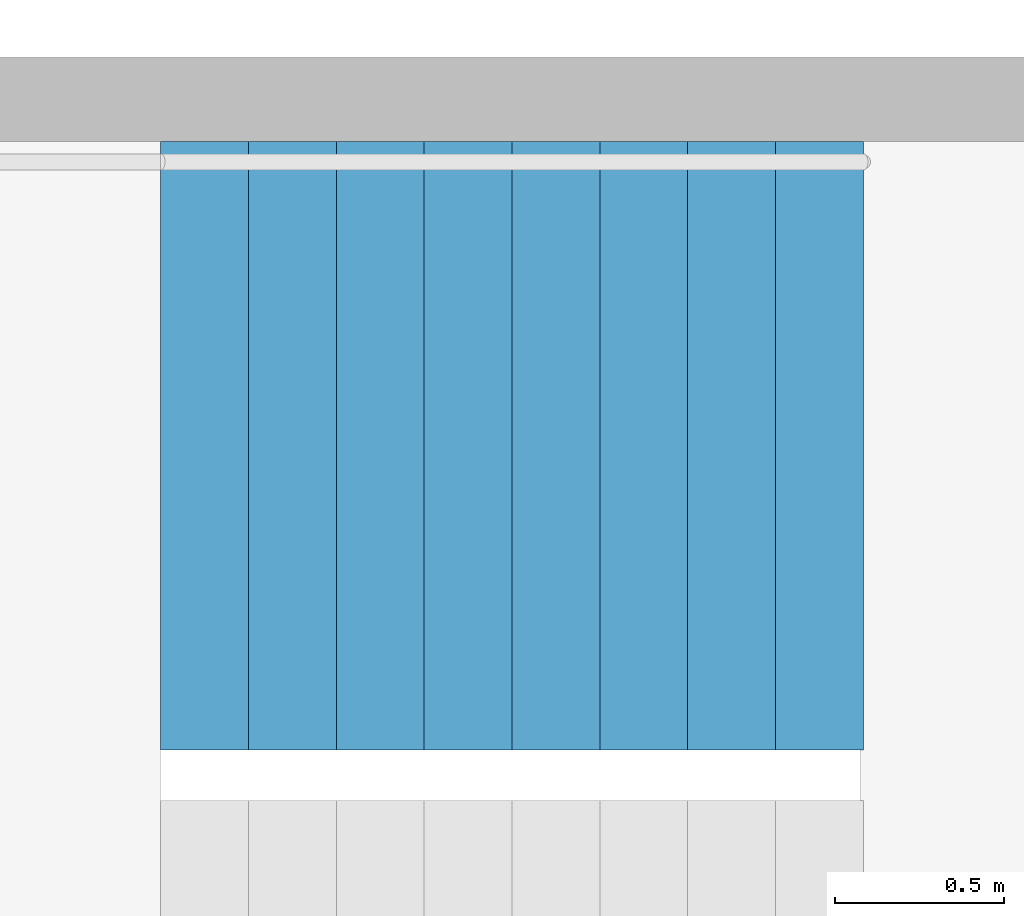
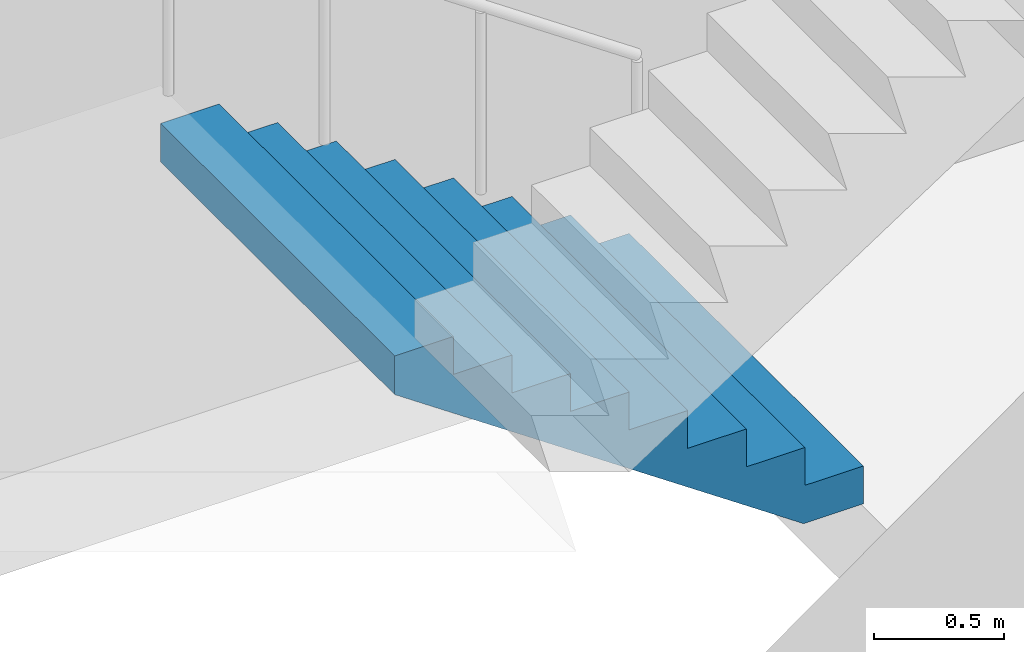
# One storey, part 19 of 26: 1 stair flight, 1 element without a shape of its own.
"""IFC4 building model written with IfcOpenShell, lengths in metres."""

from ifc_helpers import new_model, si_unit, direction, frame, origin, place, context, subcontext, project, spatial, triangles, material, type_object, element, aggregate, save


model = new_model("IFC4")

# Units and contexts
model_context = context("Model", 3, precision=1e-05, world=origin(), true_north=direction((0.0, 1.0)))
body_context = subcontext(model_context, "Body", "Model", "MODEL_VIEW")
ifc_project = project(units=[si_unit("LENGTHUNIT", "METRE"), si_unit("AREAUNIT", "SQUARE_METRE"), si_unit("VOLUMEUNIT", "CUBIC_METRE"), si_unit("PLANEANGLEUNIT", "RADIAN"), si_unit("MASSUNIT", "GRAM", prefix="KILO")], contexts=[model_context])

# Site, building, storey
site_placement = place(None, origin())
site = spatial("IfcSite", under=ifc_project, at=site_placement, CompositionType="ELEMENT")
building_placement = place(site_placement, origin())
building = spatial("IfcBuilding", under=site, at=building_placement, Name="Hakoniwa Tower and Hamabe Station Hall", CompositionType="ELEMENT")
storey_placement = place(building_placement, frame((0.0, 0.0, 251.800048828125)))
storey = spatial("IfcBuildingStorey", under=building, at=storey_placement, Name="L71", CompositionType="ELEMENT", Elevation=251.800048828125)

# Stair, stair flight
ifc_material_1 = material(Name="Concrete C40", Category="concrete")
stair_type = type_object("IfcStairType", Name="ESCAPE STAIR 1800", PredefinedType="HALF_TURN_STAIR", material=ifc_material_1)
stair_placement = place(storey_placement, origin())
stair = element("IfcStair", 1, at=stair_placement, inside=storey, type_object=stair_type, Name="Escape stair ST-2 L71", PredefinedType="HALF_TURN_STAIR")
ifc_material_2 = material(Name="Concrete C40", Category="concrete")
stair_flight_type = type_object("IfcStairFlightType", Name="STAIR FLIGHT 1800", PredefinedType="STRAIGHT", material=ifc_material_2)
stair_flight_placement = place(storey_placement, frame((-23.39990234375, -4.64990234375, 0.0), z_axis=(0.0, 0.0, 1.0), x_axis=(-1.0, 0.0, 0.0)))
stair_flight = element("IfcStairFlight", 2, at=stair_flight_placement, type_object=stair_flight_type, Name="ST-2 flight 1", NumberOfRisers=9, NumberOfTreads=8, PredefinedType="STRAIGHT", RiserHeight=0.177777778, TreadLength=0.26, context=body_context, shape_type="Tessellation", body=[
    triangles([(0.0, 0.89990234375, 0.0), (0.260009765625, 0.89990234375, 0.0), (0.265625, 0.89990234375, 0.0), (0.52001953125, 0.89990234375, 0.174072265625), (0.780029296875, 0.89990234375, 0.351806640625), (1.0400390625, 0.89990234375, 0.529541015625), (1.300048828125, 0.89990234375, 0.707275390625), (1.56005859375, 0.89990234375, 0.885009765625), (1.820068359375, 0.89990234375, 1.062744140625), (2.080078125, 0.89990234375, 1.24072265625), (2.080078125, 0.89990234375, 1.422119140625), (1.820068359375, 0.89990234375, 1.422119140625), (1.820068359375, 0.89990234375, 1.244384765625), (1.56005859375, 0.89990234375, 1.244384765625), (1.56005859375, 0.89990234375, 1.066650390625), (1.300048828125, 0.89990234375, 1.066650390625), (1.300048828125, 0.89990234375, 0.888916015625), (1.0400390625, 0.89990234375, 0.888916015625), (1.0400390625, 0.89990234375, 0.711181640625), (0.780029296875, 0.89990234375, 0.711181640625), (0.780029296875, 0.89990234375, 0.533447265625), (0.52001953125, 0.89990234375, 0.533447265625), (0.52001953125, 0.89990234375, 0.35546875), (0.265625, 0.89990234375, 0.35546875), (0.260009765625, 0.89990234375, 0.35546875), (0.260009765625, 0.89990234375, 0.177734375), (0.0, 0.89990234375, 0.177734375), (0.0, 0.06005859375, 0.0), (0.260009765625, 0.06005859375, 0.0), (0.265625, 0.06005859375, 0.0), (0.52001953125, 0.06005859375, 0.174072265625), (0.780029296875, 0.06005859375, 0.351806640625), (1.0400390625, 0.06005859375, 0.529541015625), (1.300048828125, 0.06005859375, 0.707275390625), (1.56005859375, 0.06005859375, 0.885009765625), (1.820068359375, 0.06005859375, 1.062744140625), (2.080078125, 0.06005859375, 1.24072265625), (2.080078125, 0.06005859375, 1.422119140625), (1.820068359375, 0.06005859375, 1.422119140625), (1.820068359375, 0.06005859375, 1.244384765625), (1.56005859375, 0.06005859375, 1.244384765625), (1.56005859375, 0.06005859375, 1.066650390625), (1.300048828125, 0.06005859375, 1.066650390625), (1.300048828125, 0.06005859375, 0.888916015625), (1.0400390625, 0.06005859375, 0.888916015625), (1.0400390625, 0.06005859375, 0.711181640625), (0.780029296875, 0.06005859375, 0.711181640625), (0.780029296875, 0.06005859375, 0.533447265625), (0.52001953125, 0.06005859375, 0.533447265625), (0.52001953125, 0.06005859375, 0.35546875), (0.265625, 0.06005859375, 0.35546875), (0.260009765625, 0.06005859375, 0.35546875), (0.260009765625, 0.06005859375, 0.177734375), (0.0, 0.06005859375, 0.177734375), (0.0, 0.04296875, 0.0), (0.260009765625, 0.04296875, 0.0), (0.265625, 0.04296875, 0.0), (0.52001953125, 0.04296875, 0.174072265625), (0.780029296875, 0.04296875, 0.351806640625), (1.0400390625, 0.04296875, 0.529541015625), (1.300048828125, 0.04296875, 0.707275390625), (1.56005859375, 0.04296875, 0.885009765625), (1.820068359375, 0.04296875, 1.062744140625), (2.080078125, 0.04296875, 1.24072265625), (2.080078125, 0.04296875, 1.422119140625), (1.820068359375, 0.04296875, 1.422119140625), (1.820068359375, 0.04296875, 1.244384765625), (1.56005859375, 0.04296875, 1.244384765625), (1.56005859375, 0.04296875, 1.066650390625), (1.300048828125, 0.04296875, 1.066650390625), (1.300048828125, 0.04296875, 0.888916015625), (1.0400390625, 0.04296875, 0.888916015625), (1.0400390625, 0.04296875, 0.711181640625), (0.780029296875, 0.04296875, 0.711181640625), (0.780029296875, 0.04296875, 0.533447265625), (0.52001953125, 0.04296875, 0.533447265625), (0.52001953125, 0.04296875, 0.35546875), (0.265625, 0.04296875, 0.35546875), (0.260009765625, 0.04296875, 0.35546875), (0.260009765625, 0.04296875, 0.177734375), (0.0, 0.04296875, 0.177734375), (0.0, 0.025634765625, 0.0), (0.260009765625, 0.025634765625, 0.0), (0.265625, 0.025634765625, 0.0), (0.52001953125, 0.025634765625, 0.174072265625), (0.780029296875, 0.025634765625, 0.351806640625), (1.0400390625, 0.025634765625, 0.529541015625), (1.300048828125, 0.025634765625, 0.707275390625), (1.56005859375, 0.025634765625, 0.885009765625), (1.820068359375, 0.025634765625, 1.062744140625), (2.080078125, 0.025634765625, 1.24072265625), (2.080078125, 0.025634765625, 1.422119140625), (1.820068359375, 0.025634765625, 1.422119140625), (1.820068359375, 0.025634765625, 1.244384765625), (1.56005859375, 0.025634765625, 1.244384765625), (1.56005859375, 0.025634765625, 1.066650390625), (1.300048828125, 0.025634765625, 1.066650390625), (1.300048828125, 0.025634765625, 0.888916015625), (1.0400390625, 0.025634765625, 0.888916015625), (1.0400390625, 0.025634765625, 0.711181640625), (0.780029296875, 0.025634765625, 0.711181640625), (0.780029296875, 0.025634765625, 0.533447265625), (0.52001953125, 0.025634765625, 0.533447265625), (0.52001953125, 0.025634765625, 0.35546875), (0.265625, 0.025634765625, 0.35546875), (0.260009765625, 0.025634765625, 0.35546875), (0.260009765625, 0.025634765625, 0.177734375), (0.0, 0.025634765625, 0.177734375), (0.0, 0.008544921875, 0.0), (0.260009765625, 0.008544921875, 0.0), (0.265625, 0.008544921875, 0.0), (0.52001953125, 0.008544921875, 0.174072265625), (0.780029296875, 0.008544921875, 0.351806640625), (1.0400390625, 0.008544921875, 0.529541015625), (1.300048828125, 0.008544921875, 0.707275390625), (1.56005859375, 0.008544921875, 0.885009765625), (1.820068359375, 0.008544921875, 1.062744140625), (2.080078125, 0.008544921875, 1.24072265625), (2.080078125, 0.008544921875, 1.422119140625), (1.820068359375, 0.008544921875, 1.422119140625), (1.820068359375, 0.008544921875, 1.244384765625), (1.56005859375, 0.008544921875, 1.244384765625), (1.56005859375, 0.008544921875, 1.066650390625), (1.300048828125, 0.008544921875, 1.066650390625), (1.300048828125, 0.008544921875, 0.888916015625), (1.0400390625, 0.008544921875, 0.888916015625), (1.0400390625, 0.008544921875, 0.711181640625), (0.780029296875, 0.008544921875, 0.711181640625), (0.780029296875, 0.008544921875, 0.533447265625), (0.52001953125, 0.008544921875, 0.533447265625), (0.52001953125, 0.008544921875, 0.35546875), (0.265625, 0.008544921875, 0.35546875), (0.260009765625, 0.008544921875, 0.35546875), (0.260009765625, 0.008544921875, 0.177734375), (0.0, 0.008544921875, 0.177734375), (0.0, -0.008544921875, 0.0), (0.260009765625, -0.008544921875, 0.0), (0.265625, -0.008544921875, 0.0), (0.52001953125, -0.008544921875, 0.174072265625), (0.780029296875, -0.008544921875, 0.351806640625), (1.0400390625, -0.008544921875, 0.529541015625), (1.300048828125, -0.008544921875, 0.707275390625), (1.56005859375, -0.008544921875, 0.885009765625), (1.820068359375, -0.008544921875, 1.062744140625), (2.080078125, -0.008544921875, 1.24072265625), (2.080078125, -0.008544921875, 1.422119140625), (1.820068359375, -0.008544921875, 1.422119140625), (1.820068359375, -0.008544921875, 1.244384765625), (1.56005859375, -0.008544921875, 1.244384765625), (1.56005859375, -0.008544921875, 1.066650390625), (1.300048828125, -0.008544921875, 1.066650390625), (1.300048828125, -0.008544921875, 0.888916015625), (1.0400390625, -0.008544921875, 0.888916015625), (1.0400390625, -0.008544921875, 0.711181640625), (0.780029296875, -0.008544921875, 0.711181640625), (0.780029296875, -0.008544921875, 0.533447265625), (0.52001953125, -0.008544921875, 0.533447265625), (0.52001953125, -0.008544921875, 0.35546875), (0.265625, -0.008544921875, 0.35546875), (0.260009765625, -0.008544921875, 0.35546875), (0.260009765625, -0.008544921875, 0.177734375), (0.0, -0.008544921875, 0.177734375), (0.0, -0.025634765625, 0.0), (0.260009765625, -0.025634765625, 0.0), (0.265625, -0.025634765625, 0.0), (0.52001953125, -0.025634765625, 0.174072265625), (0.780029296875, -0.025634765625, 0.351806640625), (1.0400390625, -0.025634765625, 0.529541015625), (1.300048828125, -0.025634765625, 0.707275390625), (1.56005859375, -0.025634765625, 0.885009765625), (1.820068359375, -0.025634765625, 1.062744140625), (2.080078125, -0.025634765625, 1.24072265625), (2.080078125, -0.025634765625, 1.422119140625), (1.820068359375, -0.025634765625, 1.422119140625), (1.820068359375, -0.025634765625, 1.244384765625), (1.56005859375, -0.025634765625, 1.244384765625), (1.56005859375, -0.025634765625, 1.066650390625), (1.300048828125, -0.025634765625, 1.066650390625), (1.300048828125, -0.025634765625, 0.888916015625), (1.0400390625, -0.025634765625, 0.888916015625), (1.0400390625, -0.025634765625, 0.711181640625), (0.780029296875, -0.025634765625, 0.711181640625), (0.780029296875, -0.025634765625, 0.533447265625), (0.52001953125, -0.025634765625, 0.533447265625), (0.52001953125, -0.025634765625, 0.35546875), (0.265625, -0.025634765625, 0.35546875), (0.260009765625, -0.025634765625, 0.35546875), (0.260009765625, -0.025634765625, 0.177734375), (0.0, -0.025634765625, 0.177734375), (0.0, -0.04296875, 0.0), (0.260009765625, -0.04296875, 0.0), (0.265625, -0.04296875, 0.0), (0.52001953125, -0.04296875, 0.174072265625), (0.780029296875, -0.04296875, 0.351806640625), (1.0400390625, -0.04296875, 0.529541015625), (1.300048828125, -0.04296875, 0.707275390625), (1.56005859375, -0.04296875, 0.885009765625), (1.820068359375, -0.04296875, 1.062744140625), (2.080078125, -0.04296875, 1.24072265625), (2.080078125, -0.04296875, 1.422119140625), (1.820068359375, -0.04296875, 1.422119140625), (1.820068359375, -0.04296875, 1.244384765625), (1.56005859375, -0.04296875, 1.244384765625), (1.56005859375, -0.04296875, 1.066650390625), (1.300048828125, -0.04296875, 1.066650390625), (1.300048828125, -0.04296875, 0.888916015625), (1.0400390625, -0.04296875, 0.888916015625), (1.0400390625, -0.04296875, 0.711181640625), (0.780029296875, -0.04296875, 0.711181640625), (0.780029296875, -0.04296875, 0.533447265625), (0.52001953125, -0.04296875, 0.533447265625), (0.52001953125, -0.04296875, 0.35546875), (0.265625, -0.04296875, 0.35546875), (0.260009765625, -0.04296875, 0.35546875), (0.260009765625, -0.04296875, 0.177734375), (0.0, -0.04296875, 0.177734375), (0.0, -0.06005859375, 0.0), (0.260009765625, -0.06005859375, 0.0), (0.265625, -0.06005859375, 0.0), (0.52001953125, -0.06005859375, 0.174072265625), (0.780029296875, -0.06005859375, 0.351806640625), (1.0400390625, -0.06005859375, 0.529541015625), (1.300048828125, -0.06005859375, 0.707275390625), (1.56005859375, -0.06005859375, 0.885009765625), (1.820068359375, -0.06005859375, 1.062744140625), (2.080078125, -0.06005859375, 1.24072265625), (2.080078125, -0.06005859375, 1.422119140625), (1.820068359375, -0.06005859375, 1.422119140625), (1.820068359375, -0.06005859375, 1.244384765625), (1.56005859375, -0.06005859375, 1.244384765625), (1.56005859375, -0.06005859375, 1.066650390625), (1.300048828125, -0.06005859375, 1.066650390625), (1.300048828125, -0.06005859375, 0.888916015625), (1.0400390625, -0.06005859375, 0.888916015625), (1.0400390625, -0.06005859375, 0.711181640625), (0.780029296875, -0.06005859375, 0.711181640625), (0.780029296875, -0.06005859375, 0.533447265625), (0.52001953125, -0.06005859375, 0.533447265625), (0.52001953125, -0.06005859375, 0.35546875), (0.265625, -0.06005859375, 0.35546875), (0.260009765625, -0.06005859375, 0.35546875), (0.260009765625, -0.06005859375, 0.177734375), (0.0, -0.06005859375, 0.177734375), (0.0, -0.89990234375, 0.0), (0.260009765625, -0.89990234375, 0.0), (0.265625, -0.89990234375, 0.0), (0.52001953125, -0.89990234375, 0.174072265625), (0.780029296875, -0.89990234375, 0.351806640625), (1.0400390625, -0.89990234375, 0.529541015625), (1.300048828125, -0.89990234375, 0.707275390625), (1.56005859375, -0.89990234375, 0.885009765625), (1.820068359375, -0.89990234375, 1.062744140625), (2.080078125, -0.89990234375, 1.24072265625), (2.080078125, -0.89990234375, 1.422119140625), (1.820068359375, -0.89990234375, 1.422119140625), (1.820068359375, -0.89990234375, 1.244384765625), (1.56005859375, -0.89990234375, 1.244384765625), (1.56005859375, -0.89990234375, 1.066650390625), (1.300048828125, -0.89990234375, 1.066650390625), (1.300048828125, -0.89990234375, 0.888916015625), (1.0400390625, -0.89990234375, 0.888916015625), (1.0400390625, -0.89990234375, 0.711181640625), (0.780029296875, -0.89990234375, 0.711181640625), (0.780029296875, -0.89990234375, 0.533447265625), (0.52001953125, -0.89990234375, 0.533447265625), (0.52001953125, -0.89990234375, 0.35546875), (0.265625, -0.89990234375, 0.35546875), (0.260009765625, -0.89990234375, 0.35546875), (0.260009765625, -0.89990234375, 0.177734375), (0.0, -0.89990234375, 0.177734375)], [[2, 27, 26], [245, 269, 270], [2, 1, 27], [245, 270, 244], [3, 25, 24], [246, 267, 268], [3, 26, 25], [246, 268, 269], [3, 2, 26], [246, 269, 245], [4, 24, 23], [247, 266, 267], [4, 3, 24], [247, 267, 246], [5, 22, 21], [248, 264, 265], [5, 23, 22], [248, 265, 266], [5, 4, 23], [248, 266, 247], [6, 20, 19], [249, 262, 263], [6, 21, 20], [249, 263, 264], [6, 5, 21], [249, 264, 248], [7, 18, 17], [250, 260, 261], [7, 19, 18], [250, 261, 262], [7, 6, 19], [250, 262, 249], [8, 16, 15], [251, 258, 259], [8, 17, 16], [251, 259, 260], [8, 7, 17], [251, 260, 250], [9, 14, 13], [252, 256, 257], [9, 15, 14], [252, 257, 258], [9, 8, 15], [252, 258, 251], [10, 12, 11], [253, 254, 255], [10, 13, 12], [253, 255, 256], [10, 9, 13], [253, 256, 252], [1, 2, 29], [1, 29, 28], [28, 29, 56], [28, 56, 55], [55, 56, 83], [55, 83, 82], [82, 83, 110], [82, 110, 109], [109, 110, 137], [109, 137, 136], [136, 137, 164], [136, 164, 163], [163, 164, 191], [163, 191, 190], [190, 191, 218], [190, 218, 217], [217, 218, 245], [217, 245, 244], [2, 3, 30], [2, 30, 29], [29, 30, 57], [29, 57, 56], [56, 57, 84], [56, 84, 83], [83, 84, 111], [83, 111, 110], [110, 111, 138], [110, 138, 137], [137, 138, 165], [137, 165, 164], [164, 165, 192], [164, 192, 191], [191, 192, 219], [191, 219, 218], [218, 219, 246], [218, 246, 245], [3, 4, 31], [3, 31, 30], [30, 31, 58], [30, 58, 57], [57, 58, 85], [57, 85, 84], [84, 85, 112], [84, 112, 111], [111, 112, 139], [111, 139, 138], [138, 139, 166], [138, 166, 165], [165, 166, 193], [165, 193, 192], [192, 193, 220], [192, 220, 219], [219, 220, 247], [219, 247, 246], [4, 5, 32], [4, 32, 31], [31, 32, 59], [31, 59, 58], [58, 59, 86], [58, 86, 85], [85, 86, 113], [85, 113, 112], [112, 113, 140], [112, 140, 139], [139, 140, 167], [139, 167, 166], [166, 167, 194], [166, 194, 193], [193, 194, 221], [193, 221, 220], [220, 221, 248], [220, 248, 247], [5, 6, 33], [5, 33, 32], [32, 33, 60], [32, 60, 59], [59, 60, 87], [59, 87, 86], [86, 87, 114], [86, 114, 113], [113, 114, 141], [113, 141, 140], [140, 141, 168], [140, 168, 167], [167, 168, 195], [167, 195, 194], [194, 195, 222], [194, 222, 221], [221, 222, 249], [221, 249, 248], [6, 7, 34], [6, 34, 33], [33, 34, 61], [33, 61, 60], [60, 61, 88], [60, 88, 87], [87, 88, 115], [87, 115, 114], [114, 115, 142], [114, 142, 141], [141, 142, 169], [141, 169, 168], [168, 169, 196], [168, 196, 195], [195, 196, 223], [195, 223, 222], [222, 223, 250], [222, 250, 249], [7, 8, 35], [7, 35, 34], [34, 35, 62], [34, 62, 61], [61, 62, 89], [61, 89, 88], [88, 89, 116], [88, 116, 115], [115, 116, 143], [115, 143, 142], [142, 143, 170], [142, 170, 169], [169, 170, 197], [169, 197, 196], [196, 197, 224], [196, 224, 223], [223, 224, 251], [223, 251, 250], [8, 9, 36], [8, 36, 35], [35, 36, 63], [35, 63, 62], [62, 63, 90], [62, 90, 89], [89, 90, 117], [89, 117, 116], [116, 117, 144], [116, 144, 143], [143, 144, 171], [143, 171, 170], [170, 171, 198], [170, 198, 197], [197, 198, 225], [197, 225, 224], [224, 225, 252], [224, 252, 251], [9, 10, 37], [9, 37, 36], [36, 37, 64], [36, 64, 63], [63, 64, 91], [63, 91, 90], [90, 91, 118], [90, 118, 117], [117, 118, 145], [117, 145, 144], [144, 145, 172], [144, 172, 171], [171, 172, 199], [171, 199, 198], [198, 199, 226], [198, 226, 225], [225, 226, 253], [225, 253, 252], [10, 11, 38], [10, 38, 37], [37, 38, 65], [37, 65, 64], [64, 65, 92], [64, 92, 91], [91, 92, 119], [91, 119, 118], [118, 119, 146], [118, 146, 145], [145, 146, 173], [145, 173, 172], [172, 173, 200], [172, 200, 199], [199, 200, 227], [199, 227, 226], [226, 227, 254], [226, 254, 253], [11, 12, 39], [11, 39, 38], [38, 39, 66], [38, 66, 65], [65, 66, 93], [65, 93, 92], [92, 93, 120], [92, 120, 119], [119, 120, 147], [119, 147, 146], [146, 147, 174], [146, 174, 173], [173, 174, 201], [173, 201, 200], [200, 201, 228], [200, 228, 227], [227, 228, 255], [227, 255, 254], [12, 13, 40], [12, 40, 39], [39, 40, 67], [39, 67, 66], [66, 67, 94], [66, 94, 93], [93, 94, 121], [93, 121, 120], [120, 121, 148], [120, 148, 147], [147, 148, 175], [147, 175, 174], [174, 175, 202], [174, 202, 201], [201, 202, 229], [201, 229, 228], [228, 229, 256], [228, 256, 255], [13, 14, 41], [13, 41, 40], [40, 41, 68], [40, 68, 67], [67, 68, 95], [67, 95, 94], [94, 95, 122], [94, 122, 121], [121, 122, 149], [121, 149, 148], [148, 149, 176], [148, 176, 175], [175, 176, 203], [175, 203, 202], [202, 203, 230], [202, 230, 229], [229, 230, 257], [229, 257, 256], [14, 15, 42], [14, 42, 41], [41, 42, 69], [41, 69, 68], [68, 69, 96], [68, 96, 95], [95, 96, 123], [95, 123, 122], [122, 123, 150], [122, 150, 149], [149, 150, 177], [149, 177, 176], [176, 177, 204], [176, 204, 203], [203, 204, 231], [203, 231, 230], [230, 231, 258], [230, 258, 257], [15, 16, 43], [15, 43, 42], [42, 43, 70], [42, 70, 69], [69, 70, 97], [69, 97, 96], [96, 97, 124], [96, 124, 123], [123, 124, 151], [123, 151, 150], [150, 151, 178], [150, 178, 177], [177, 178, 205], [177, 205, 204], [204, 205, 232], [204, 232, 231], [231, 232, 259], [231, 259, 258], [16, 17, 44], [16, 44, 43], [43, 44, 71], [43, 71, 70], [70, 71, 98], [70, 98, 97], [97, 98, 125], [97, 125, 124], [124, 125, 152], [124, 152, 151], [151, 152, 179], [151, 179, 178], [178, 179, 206], [178, 206, 205], [205, 206, 233], [205, 233, 232], [232, 233, 260], [232, 260, 259], [17, 18, 45], [17, 45, 44], [44, 45, 72], [44, 72, 71], [71, 72, 99], [71, 99, 98], [98, 99, 126], [98, 126, 125], [125, 126, 153], [125, 153, 152], [152, 153, 180], [152, 180, 179], [179, 180, 207], [179, 207, 206], [206, 207, 234], [206, 234, 233], [233, 234, 261], [233, 261, 260], [18, 19, 46], [18, 46, 45], [45, 46, 73], [45, 73, 72], [72, 73, 100], [72, 100, 99], [99, 100, 127], [99, 127, 126], [126, 127, 154], [126, 154, 153], [153, 154, 181], [153, 181, 180], [180, 181, 208], [180, 208, 207], [207, 208, 235], [207, 235, 234], [234, 235, 262], [234, 262, 261], [19, 20, 47], [19, 47, 46], [46, 47, 74], [46, 74, 73], [73, 74, 101], [73, 101, 100], [100, 101, 128], [100, 128, 127], [127, 128, 155], [127, 155, 154], [154, 155, 182], [154, 182, 181], [181, 182, 209], [181, 209, 208], [208, 209, 236], [208, 236, 235], [235, 236, 263], [235, 263, 262], [20, 21, 48], [20, 48, 47], [47, 48, 75], [47, 75, 74], [74, 75, 102], [74, 102, 101], [101, 102, 129], [101, 129, 128], [128, 129, 156], [128, 156, 155], [155, 156, 183], [155, 183, 182], [182, 183, 210], [182, 210, 209], [209, 210, 237], [209, 237, 236], [236, 237, 264], [236, 264, 263], [21, 22, 49], [21, 49, 48], [48, 49, 76], [48, 76, 75], [75, 76, 103], [75, 103, 102], [102, 103, 130], [102, 130, 129], [129, 130, 157], [129, 157, 156], [156, 157, 184], [156, 184, 183], [183, 184, 211], [183, 211, 210], [210, 211, 238], [210, 238, 237], [237, 238, 265], [237, 265, 264], [22, 23, 50], [22, 50, 49], [49, 50, 77], [49, 77, 76], [76, 77, 104], [76, 104, 103], [103, 104, 131], [103, 131, 130], [130, 131, 158], [130, 158, 157], [157, 158, 185], [157, 185, 184], [184, 185, 212], [184, 212, 211], [211, 212, 239], [211, 239, 238], [238, 239, 266], [238, 266, 265], [23, 24, 51], [23, 51, 50], [50, 51, 78], [50, 78, 77], [77, 78, 105], [77, 105, 104], [104, 105, 132], [104, 132, 131], [131, 132, 159], [131, 159, 158], [158, 159, 186], [158, 186, 185], [185, 186, 213], [185, 213, 212], [212, 213, 240], [212, 240, 239], [239, 240, 267], [239, 267, 266], [24, 25, 52], [24, 52, 51], [51, 52, 79], [51, 79, 78], [78, 79, 106], [78, 106, 105], [105, 106, 133], [105, 133, 132], [132, 133, 160], [132, 160, 159], [159, 160, 187], [159, 187, 186], [186, 187, 214], [186, 214, 213], [213, 214, 241], [213, 241, 240], [240, 241, 268], [240, 268, 267], [25, 26, 53], [25, 53, 52], [52, 53, 80], [52, 80, 79], [79, 80, 107], [79, 107, 106], [106, 107, 134], [106, 134, 133], [133, 134, 161], [133, 161, 160], [160, 161, 188], [160, 188, 187], [187, 188, 215], [187, 215, 214], [214, 215, 242], [214, 242, 241], [241, 242, 269], [241, 269, 268], [26, 27, 54], [26, 54, 53], [53, 54, 81], [53, 81, 80], [80, 81, 108], [80, 108, 107], [107, 108, 135], [107, 135, 134], [134, 135, 162], [134, 162, 161], [161, 162, 189], [161, 189, 188], [188, 189, 216], [188, 216, 215], [215, 216, 243], [215, 243, 242], [242, 243, 270], [242, 270, 269], [27, 1, 28], [27, 28, 54], [54, 28, 55], [54, 55, 81], [81, 55, 82], [81, 82, 108], [108, 82, 109], [108, 109, 135], [135, 109, 136], [135, 136, 162], [162, 136, 163], [162, 163, 189], [189, 163, 190], [189, 190, 216], [216, 190, 217], [216, 217, 243], [243, 217, 244], [243, 244, 270]], closed=True),
])
aggregate(stair, [stair_flight])

save(model, "model.ifc")
